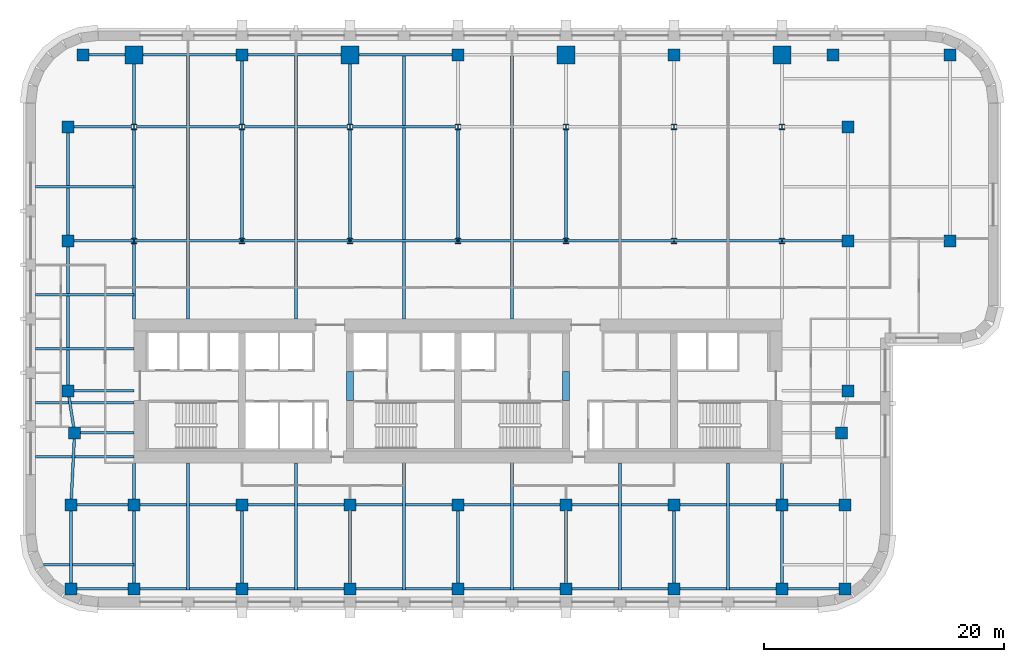
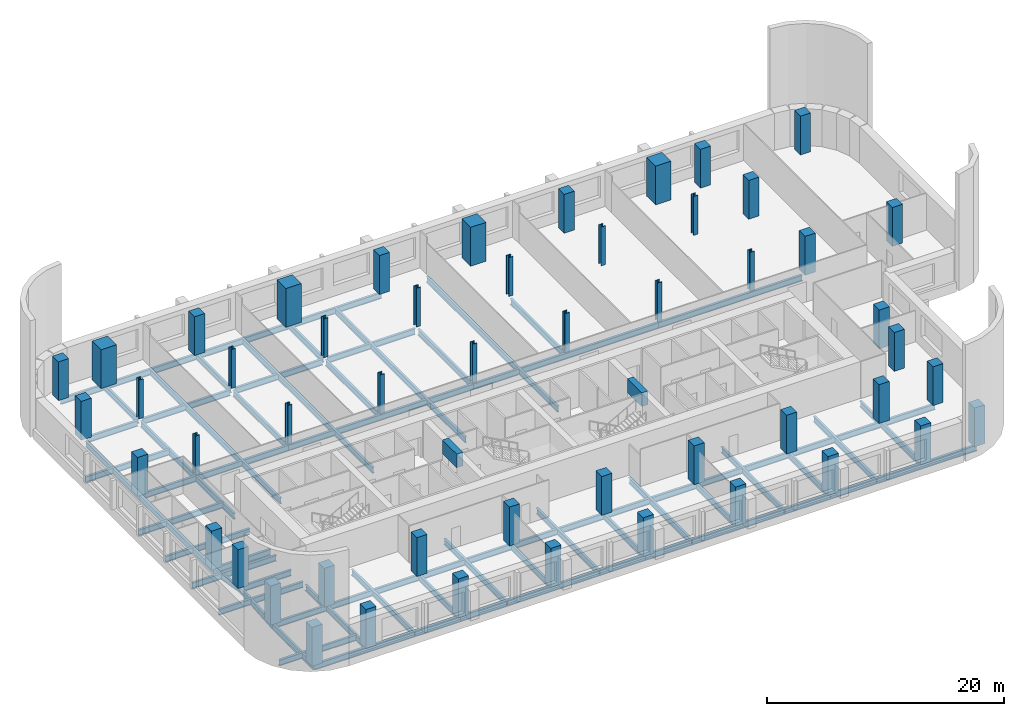
# One storey, part 1 of 9: 58 beams, 51 columns.
"""IFC4 building model written with IfcOpenShell, lengths in metres."""

from ifc_helpers import new_model, si_unit, direction, frame, origin, origin_2d, place, context, subcontext, project, spatial, rectangle, i_section, extrude, material, material_profile, profile_set, type_object, element, save


model = new_model("IFC4")

# Units and contexts
model_context = context("Model", 3, precision=1e-05, world=origin(), true_north=direction((0.0, 1.0)))
body_context = subcontext(model_context, "Body", "Model", "MODEL_VIEW")
ifc_project = project(units=[si_unit("LENGTHUNIT", "METRE"), si_unit("AREAUNIT", "SQUARE_METRE"), si_unit("VOLUMEUNIT", "CUBIC_METRE"), si_unit("PLANEANGLEUNIT", "RADIAN"), si_unit("MASSUNIT", "GRAM", prefix="KILO")], contexts=[model_context])

# Site, building, storey
site_placement = place(None, origin())
site = spatial("IfcSite", under=ifc_project, at=site_placement, CompositionType="ELEMENT")
building_placement = place(site_placement, origin())
building = spatial("IfcBuilding", under=site, at=building_placement, Name="Zellij Exchange Tower", CompositionType="ELEMENT")
storey_placement = place(building_placement, frame((0.0, 0.0, 132.5)))
storey = spatial("IfcBuildingStorey", under=building, at=storey_placement, Name="L29", CompositionType="ELEMENT", Elevation=132.5)

# Columns
ifc_material_1 = material(Name="Concrete C70/85", Category="concrete")
ifc_material_profile_1 = material_profile(ifc_material_1, rectangle(XDim=1.0, YDim=1.0, at=origin_2d()), Name="STR-COLUMN RC1000x1000 C70/85")
ifc_profile_set_1 = profile_set([ifc_material_profile_1], Name="Concrete C70/85")
column_type_1 = type_object("IfcColumnType", Name="STR-COLUMN RC1000x1000 C70/85", PredefinedType="COLUMN", material=ifc_profile_set_1)
for number, where, z_axis, x_axis, name in (
    (1, (-32.25, -24.5, 0.0), (0.0, 0.0, 1.0), (1.0, 0.0, 0.0), "C10"),
    (2, (-27.0, -24.5, 0.0), (0.0, 0.0, 1.0), (1.0, 0.0, 0.0), "C10"),
    (3, (-18.0, -24.5, 0.0), (0.0, 0.0, 1.0), (1.0, 0.0, 0.0), "C10"),
    (4, (-9.0, -24.5, 0.0), (0.0, 0.0, 1.0), (1.0, 0.0, 0.0), "C10"),
    (5, (0.0, -24.5, 0.0), (0.0, 0.0, 1.0), (1.0, 0.0, 0.0), "C10"),
    (6, (9.0, -24.5, 0.0), (0.0, 0.0, 1.0), (1.0, 0.0, 0.0), "C10"),
    (7, (18.0, -24.5, 0.0), (0.0, 0.0, 1.0), (1.0, 0.0, 0.0), "C10"),
    (8, (27.0, -24.5, 0.0), (0.0, 0.0, 1.0), (1.0, 0.0, 0.0), "C10"),
    (9, (32.25, -24.5, 0.0), (0.0, 0.0, 1.0), (1.0, 0.0, 0.0), "C10"),
    (10, (-32.25, -17.5, 0.0), (0.0, 0.0, 1.0), (1.0, 0.0, 0.0), "C10"),
    (11, (-27.0, -17.5, 0.0), (0.0, 0.0, 1.0), (1.0, 0.0, 0.0), "C10"),
    (12, (-18.0, -17.5, 0.0), (0.0, 0.0, 1.0), (1.0, 0.0, 0.0), "C10"),
    (13, (-9.0, -17.5, 0.0), (0.0, 0.0, 1.0), (1.0, 0.0, 0.0), "C10"),
    (14, (0.0, -17.5, 0.0), (0.0, 0.0, 1.0), (1.0, 0.0, 0.0), "C10"),
    (15, (9.0, -17.5, 0.0), (0.0, 0.0, 1.0), (1.0, 0.0, 0.0), "C10"),
    (16, (18.0, -17.5, 0.0), (0.0, 0.0, 1.0), (1.0, 0.0, 0.0), "C10"),
    (17, (27.0, -17.5, 0.0), (0.0, 0.0, 1.0), (1.0, 0.0, 0.0), "C10"),
    (18, (32.25, -17.5, 0.0), (0.0, 0.0, 1.0), (1.0, 0.0, 0.0), "C10"),
    (19, (-31.949951171875, -11.5, 0.0), (0.0, 0.0, 1.0), (1.0, 0.0, 0.0), "C10"),
    (20, (31.949951171875, -11.5, 0.0), (0.0, 0.0, 1.0), (1.0, 0.0, 0.0), "C10"),
    (21, (-32.5, -8.0, 0.0), (0.0, 0.0, 1.0), (1.0, 0.0, 0.0), "C10"),
    (22, (32.5, -8.0, 0.0), (0.0, 0.0, 1.0), (1.0, 0.0, 0.0), "C10"),
    (23, (-32.5, 4.5, 0.0), (0.0, 0.0, 1.0), (1.0, 0.0, 0.0), "C10"),
    (24, (32.5, 4.5, 0.0), (0.0, 0.0, 1.0), (1.0, 0.0, 0.0), "C10"),
    (25, (41.0, 4.5, 0.0), (0.0, 0.0, 1.0), (1.0, 0.0, 0.0), "C10"),
    (26, (-32.5, 14.0, 0.0), (0.0, 0.0, 1.0), (1.0, 0.0, 0.0), "C10"),
    (27, (32.5, 14.0, 0.0), (0.0, 0.0, 1.0), (1.0, 0.0, 0.0), "C10"),
    (28, (-31.25, 20.0, 0.0), (0.0, 0.0, 1.0), (1.0, 0.0, 0.0), "C10"),
    (29, (-18.0, 20.0, 0.0), (0.0, 0.0, 1.0), (1.0, 0.0, 0.0), "C10"),
    (30, (0.0, 20.0, 0.0), (0.0, 0.0, 1.0), (1.0, 0.0, 0.0), "C10"),
    (31, (18.0, 20.0, 0.0), (0.0, 0.0, 1.0), (1.0, 0.0, 0.0), "C10"),
    (32, (31.25, 20.0, 0.0), (0.0, 0.0, 1.0), (1.0, 0.0, 0.0), "C10"),
    (33, (41.0, 20.0, 0.0), (0.0, 0.0, 1.0), (1.0, 0.0, 0.0), "C10"),
):
    element("IfcColumn", number, at=place(storey_placement, frame(where, z_axis=z_axis, x_axis=x_axis)), inside=storey, type_object=column_type_1, Name=name, PredefinedType="COLUMN", context=body_context, shape_type="SweptSolid", body=[
        extrude(rectangle(XDim=1.0, YDim=1.0, at=origin_2d()), origin(), (0.0, 0.0, 1.0), 4.0),
    ])
ifc_material_2 = material(Name="Structural steel ASTM A913 Gr 65", Category="steel")
ifc_material_profile_2 = material_profile(ifc_material_2, i_section(OverallWidth=0.419189453125, OverallDepth=0.45458984375, WebThickness=0.042236328125, FlangeThickness=0.067626953125, at=origin_2d()), Name="W14x370")
ifc_profile_set_2 = profile_set([ifc_material_profile_2], Name="Structural steel ASTM A913 Gr 65")
column_type_2 = type_object("IfcColumnType", Name="STR-COLUMN W14x370", PredefinedType="COLUMN", material=ifc_profile_set_2)
for number, where, z_axis, x_axis, name in (
    (34, (-27.0, 4.5, 0.0), (0.0, 0.0, 1.0), (1.0, 0.0, 0.0), "C4"),
    (35, (-18.0, 4.5, 0.0), (0.0, 0.0, 1.0), (1.0, 0.0, 0.0), "C4"),
    (36, (-9.0, 4.5, 0.0), (0.0, 0.0, 1.0), (1.0, 0.0, 0.0), "C4"),
    (37, (0.0, 4.5, 0.0), (0.0, 0.0, 1.0), (1.0, 0.0, 0.0), "C4"),
    (38, (9.0, 4.5, 0.0), (0.0, 0.0, 1.0), (1.0, 0.0, 0.0), "C4"),
    (39, (18.0, 4.5, 0.0), (0.0, 0.0, 1.0), (1.0, 0.0, 0.0), "C4"),
    (40, (27.0, 4.5, 0.0), (0.0, 0.0, 1.0), (1.0, 0.0, 0.0), "C4"),
    (41, (-27.0, 14.0, 0.0), (0.0, 0.0, 1.0), (1.0, 0.0, 0.0), "C4"),
    (42, (-18.0, 14.0, 0.0), (0.0, 0.0, 1.0), (1.0, 0.0, 0.0), "C4"),
    (43, (-9.0, 14.0, 0.0), (0.0, 0.0, 1.0), (1.0, 0.0, 0.0), "C4"),
    (44, (0.0, 14.0, 0.0), (0.0, 0.0, 1.0), (1.0, 0.0, 0.0), "C4"),
    (45, (9.0, 14.0, 0.0), (0.0, 0.0, 1.0), (1.0, 0.0, 0.0), "C4"),
    (46, (18.0, 14.0, 0.0), (0.0, 0.0, 1.0), (1.0, 0.0, 0.0), "C4"),
    (47, (27.0, 14.0, 0.0), (0.0, 0.0, 1.0), (1.0, 0.0, 0.0), "C4"),
):
    element("IfcColumn", number, at=place(storey_placement, frame(where, z_axis=z_axis, x_axis=x_axis)), inside=storey, type_object=column_type_2, Name=name, PredefinedType="COLUMN", context=body_context, shape_type="SweptSolid", body=[
        extrude(i_section(OverallWidth=0.419189453125, OverallDepth=0.45458984375, WebThickness=0.042236328125, FlangeThickness=0.067626953125, at=origin_2d()), origin(), (0.0, 0.0, 1.0), 4.0),
    ])
ifc_material_profile_3 = material_profile(ifc_material_1, rectangle(XDim=1.5, YDim=1.5, at=origin_2d()), Name="STR-MEGA COLUMN RC1500x1500 C70/85")
ifc_profile_set_3 = profile_set([ifc_material_profile_3], Name="Concrete C70/85")
column_type_3 = type_object("IfcColumnType", Name="STR-MEGA COLUMN RC1500x1500 C70/85", PredefinedType="COLUMN", material=ifc_profile_set_3)
for number, where, z_axis, x_axis, name in (
    (48, (-27.0, 20.0, 0.0), (0.0, 0.0, 1.0), (1.0, 0.0, 0.0), "MC5"),
    (49, (-9.0, 20.0, 0.0), (0.0, 0.0, 1.0), (1.0, 0.0, 0.0), "MC5"),
    (50, (9.0, 20.0, 0.0), (0.0, 0.0, 1.0), (1.0, 0.0, 0.0), "MC5"),
    (51, (27.0, 20.0, 0.0), (0.0, 0.0, 1.0), (1.0, 0.0, 0.0), "MC5"),
):
    element("IfcColumn", number, at=place(storey_placement, frame(where, z_axis=z_axis, x_axis=x_axis)), inside=storey, type_object=column_type_3, Name=name, PredefinedType="COLUMN", context=body_context, shape_type="SweptSolid", body=[
        extrude(rectangle(XDim=1.5, YDim=1.5, at=origin_2d()), origin(), (0.0, 0.0, 1.0), 4.0),
    ])

# Beams
ifc_material_profile_4 = material_profile(ifc_material_1, rectangle(XDim=0.60009765625, YDim=1.39990234375, at=origin_2d()), Name="CORE-CB 600x1400 C70/85")
ifc_profile_set_4 = profile_set([ifc_material_profile_4], Name="Concrete C70/85")
beam_type_1 = type_object("IfcBeamType", Name="CORE-CB 600x1400 C70/85", PredefinedType="BEAM", material=ifc_profile_set_4)
for number, where, z_axis, x_axis, name in (
    (52, (-9.0, -8.800048828125, 3.10009765625), (0.0, 1.0, 0.0), (-1.0, 0.0, 0.0), "Core coupling beam x -9 L29"),
    (53, (9.0, -8.800048828125, 3.10009765625), (0.0, 1.0, 0.0), (-1.0, 0.0, 0.0), "Core coupling beam x 9 L29"),
):
    element("IfcBeam", number, at=place(storey_placement, frame(where, z_axis=z_axis, x_axis=x_axis)), inside=storey, type_object=beam_type_1, Name=name, PredefinedType="BEAM", context=body_context, shape_type="SweptSolid", body=[
        extrude(rectangle(XDim=0.60009765625, YDim=1.39990234375, at=origin_2d()), origin(), (0.0, 0.0, 1.0), 2.425048828125),
    ])
ifc_material_3 = material(Name="Structural steel ASTM A992 Gr 50", Category="steel")
ifc_material_profile_5 = material_profile(ifc_material_3, i_section(OverallWidth=0.227783203125, OverallDepth=0.60205078125, WebThickness=0.010498046875, FlangeThickness=0.014892578125, at=origin_2d()), Name="W24x68")
ifc_profile_set_5 = profile_set([ifc_material_profile_5], Name="Structural steel ASTM A992 Gr 50")
beam_type_2 = type_object("IfcBeamType", Name="STR-BEAM W24x68", PredefinedType="BEAM", material=ifc_profile_set_5)
beam_1_placement = place(storey_placement, frame((-22.5, -24.614501953125, -0.5009765625), z_axis=(0.0, 1.0, 0.0), x_axis=(-1.0, 0.0, 0.0)))
element("IfcBeam", 54, at=beam_1_placement, inside=storey, type_object=beam_type_2, Name="B5", PredefinedType="BEAM", context=body_context, shape_type="SweptSolid", body=[
    extrude(i_section(OverallWidth=0.227783203125, OverallDepth=0.60205078125, WebThickness=0.010498046875, FlangeThickness=0.014892578125, at=origin_2d()), origin(), (0.0, 0.0, 1.0), 10.614501953125),
])
beam_2_placement = place(storey_placement, frame((-22.5, -2.0, -0.5009765625), z_axis=(0.0, 1.0, 0.0), x_axis=(-1.0, 0.0, 0.0)))
element("IfcBeam", 55, at=beam_2_placement, inside=storey, type_object=beam_type_2, Name="B5", PredefinedType="BEAM", context=body_context, shape_type="SweptSolid", body=[
    extrude(i_section(OverallWidth=0.227783203125, OverallDepth=0.60205078125, WebThickness=0.010498046875, FlangeThickness=0.014892578125, at=origin_2d()), origin(), (0.0, 0.0, 1.0), 22.114501953125),
])
beam_3_placement = place(storey_placement, frame((-13.5, -24.614501953125, -0.5009765625), z_axis=(0.0, 1.0, 0.0), x_axis=(-1.0, 0.0, 0.0)))
element("IfcBeam", 56, at=beam_3_placement, inside=storey, type_object=beam_type_2, Name="B5", PredefinedType="BEAM", context=body_context, shape_type="SweptSolid", body=[
    extrude(i_section(OverallWidth=0.227783203125, OverallDepth=0.60205078125, WebThickness=0.010498046875, FlangeThickness=0.014892578125, at=origin_2d()), origin(), (0.0, 0.0, 1.0), 10.614501953125),
])
beam_4_placement = place(storey_placement, frame((-13.5, -2.0, -0.5009765625), z_axis=(0.0, 1.0, 0.0), x_axis=(-1.0, 0.0, 0.0)))
element("IfcBeam", 57, at=beam_4_placement, inside=storey, type_object=beam_type_2, Name="B5", PredefinedType="BEAM", context=body_context, shape_type="SweptSolid", body=[
    extrude(i_section(OverallWidth=0.227783203125, OverallDepth=0.60205078125, WebThickness=0.010498046875, FlangeThickness=0.014892578125, at=origin_2d()), origin(), (0.0, 0.0, 1.0), 22.114501953125),
])
beam_5_placement = place(storey_placement, frame((-4.5, -24.614501953125, -0.5009765625), z_axis=(0.0, 1.0, 0.0), x_axis=(-1.0, 0.0, 0.0)))
element("IfcBeam", 58, at=beam_5_placement, inside=storey, type_object=beam_type_2, Name="B5", PredefinedType="BEAM", context=body_context, shape_type="SweptSolid", body=[
    extrude(i_section(OverallWidth=0.227783203125, OverallDepth=0.60205078125, WebThickness=0.010498046875, FlangeThickness=0.014892578125, at=origin_2d()), origin(), (0.0, 0.0, 1.0), 10.614501953125),
])
beam_6_placement = place(storey_placement, frame((-4.5, -2.0, -0.5009765625), z_axis=(0.0, 1.0, 0.0), x_axis=(-1.0, 0.0, 0.0)))
element("IfcBeam", 59, at=beam_6_placement, inside=storey, type_object=beam_type_2, Name="B5", PredefinedType="BEAM", context=body_context, shape_type="SweptSolid", body=[
    extrude(i_section(OverallWidth=0.227783203125, OverallDepth=0.60205078125, WebThickness=0.010498046875, FlangeThickness=0.014892578125, at=origin_2d()), origin(), (0.0, 0.0, 1.0), 22.114501953125),
])
beam_7_placement = place(storey_placement, frame((4.5, -24.614501953125, -0.5009765625), z_axis=(0.0, 1.0, 0.0), x_axis=(-1.0, 0.0, 0.0)))
element("IfcBeam", 60, at=beam_7_placement, inside=storey, type_object=beam_type_2, Name="B5", PredefinedType="BEAM", context=body_context, shape_type="SweptSolid", body=[
    extrude(i_section(OverallWidth=0.227783203125, OverallDepth=0.60205078125, WebThickness=0.010498046875, FlangeThickness=0.014892578125, at=origin_2d()), origin(), (0.0, 0.0, 1.0), 10.614501953125),
])
beam_8_placement = place(storey_placement, frame((4.5, -2.0, -0.5009765625), z_axis=(0.0, 1.0, 0.0), x_axis=(-1.0, 0.0, 0.0)))
element("IfcBeam", 61, at=beam_8_placement, inside=storey, type_object=beam_type_2, Name="B5", PredefinedType="BEAM", context=body_context, shape_type="SweptSolid", body=[
    extrude(i_section(OverallWidth=0.227783203125, OverallDepth=0.60205078125, WebThickness=0.010498046875, FlangeThickness=0.014892578125, at=origin_2d()), origin(), (0.0, 0.0, 1.0), 22.114501953125),
])
for number, where, z_axis, x_axis, name in (
    (62, (13.5, -24.614501953125, -0.5009765625), (0.0, 1.0, 0.0), (-1.0, 0.0, 0.0), "B5"),
    (63, (22.5, -24.614501953125, -0.5009765625), (0.0, 1.0, 0.0), (-1.0, 0.0, 0.0), "B5"),
):
    element("IfcBeam", number, at=place(storey_placement, frame(where, z_axis=z_axis, x_axis=x_axis)), inside=storey, type_object=beam_type_2, Name=name, PredefinedType="BEAM", context=body_context, shape_type="SweptSolid", body=[
        extrude(i_section(OverallWidth=0.227783203125, OverallDepth=0.60205078125, WebThickness=0.010498046875, FlangeThickness=0.014892578125, at=origin_2d()), origin(), (0.0, 0.0, 1.0), 10.614501953125),
    ])
beam_9_placement = place(storey_placement, frame((-34.537109375, -22.5, -0.5009765625), z_axis=(1.0, 0.0, 0.0), x_axis=(0.0, 1.0, 0.0)))
element("IfcBeam", 64, at=beam_9_placement, inside=storey, type_object=beam_type_2, Name="B5", PredefinedType="BEAM", context=body_context, shape_type="SweptSolid", body=[
    extrude(i_section(OverallWidth=0.227783203125, OverallDepth=0.60205078125, WebThickness=0.010498046875, FlangeThickness=0.014892578125, at=origin_2d()), origin(), (0.0, 0.0, 1.0), 7.537109375),
])
for number, where, z_axis, x_axis, name in (
    (65, (-35.199951171875, -13.5, -0.5009765625), (1.0, 0.0, 0.0), (0.0, 1.0, 0.0), "B5"),
    (66, (-35.199951171875, -9.0, -0.5009765625), (1.0, 0.0, 0.0), (0.0, 1.0, 0.0), "B5"),
    (67, (-35.199951171875, -4.5, -0.5009765625), (1.0, 0.0, 0.0), (0.0, 1.0, 0.0), "B5"),
    (68, (-35.199951171875, 0.0, -0.5009765625), (1.0, 0.0, 0.0), (0.0, 1.0, 0.0), "B5"),
    (69, (-35.199951171875, 9.0, -0.5009765625), (1.0, 0.0, 0.0), (0.0, 1.0, 0.0), "B5"),
):
    element("IfcBeam", number, at=place(storey_placement, frame(where, z_axis=z_axis, x_axis=x_axis)), inside=storey, type_object=beam_type_2, Name=name, PredefinedType="BEAM", context=body_context, shape_type="SweptSolid", body=[
        extrude(i_section(OverallWidth=0.227783203125, OverallDepth=0.60205078125, WebThickness=0.010498046875, FlangeThickness=0.014892578125, at=origin_2d()), origin(), (0.0, 0.0, 1.0), 8.199951171875),
    ])
ifc_material_profile_6 = material_profile(ifc_material_3, i_section(OverallWidth=0.22900390625, OverallDepth=0.612060546875, WebThickness=0.011962890625, FlangeThickness=0.01953125, at=origin_2d()), Name="W24x84")
ifc_profile_set_6 = profile_set([ifc_material_profile_6], Name="Structural steel ASTM A992 Gr 50")
beam_type_3 = type_object("IfcBeamType", Name="STR-EDGE GIRDER W24x84", PredefinedType="BEAM", material=ifc_profile_set_6)
beam_10_placement = place(storey_placement, frame((-32.25, -24.5, -0.506103515625), z_axis=(0.0, 1.0, 0.0), x_axis=(-1.0, 0.0, 0.0)))
element("IfcBeam", 70, at=beam_10_placement, inside=storey, type_object=beam_type_3, Name="EB6", PredefinedType="BEAM", context=body_context, shape_type="SweptSolid", body=[
    extrude(i_section(OverallWidth=0.22900390625, OverallDepth=0.612060546875, WebThickness=0.011962890625, FlangeThickness=0.01953125, at=origin_2d()), origin(), (0.0, 0.0, 1.0), 7.0),
])
beam_11_placement = place(storey_placement, frame((-32.25, -17.5, -0.506103515625), z_axis=(0.049945724537, 0.998751933465, 0.0), x_axis=(-0.998751933465, 0.049945724537, 0.0)))
element("IfcBeam", 71, at=beam_11_placement, inside=storey, type_object=beam_type_3, Name="EB6", PredefinedType="BEAM", context=body_context, shape_type="SweptSolid", body=[
    extrude(i_section(OverallWidth=0.22900390625, OverallDepth=0.612060546875, WebThickness=0.011962890625, FlangeThickness=0.01953125, at=origin_2d()), origin(), (0.0, 0.0, 1.0), 6.007568359375),
])
beam_12_placement = place(storey_placement, frame((-31.949951171875, -11.5, -0.506103515625), z_axis=(-0.155251283593, 0.987875011802, 0.0), x_axis=(-0.987875011802, -0.155251283593, 0.0)))
element("IfcBeam", 72, at=beam_12_placement, inside=storey, type_object=beam_type_3, Name="EB6", PredefinedType="BEAM", context=body_context, shape_type="SweptSolid", body=[
    extrude(i_section(OverallWidth=0.22900390625, OverallDepth=0.612060546875, WebThickness=0.011962890625, FlangeThickness=0.01953125, at=origin_2d()), origin(), (0.0, 0.0, 1.0), 3.54296875),
])
beam_13_placement = place(storey_placement, frame((-32.5, -8.0, -0.506103515625), z_axis=(0.0, 1.0, 0.0), x_axis=(-1.0, 0.0, 0.0)))
element("IfcBeam", 73, at=beam_13_placement, inside=storey, type_object=beam_type_3, Name="EB6", PredefinedType="BEAM", context=body_context, shape_type="SweptSolid", body=[
    extrude(i_section(OverallWidth=0.22900390625, OverallDepth=0.612060546875, WebThickness=0.011962890625, FlangeThickness=0.01953125, at=origin_2d()), origin(), (0.0, 0.0, 1.0), 12.5),
])
beam_14_placement = place(storey_placement, frame((-32.5, 4.5, -0.506103515625), z_axis=(0.0, 1.0, 0.0), x_axis=(-1.0, 0.0, 0.0)))
element("IfcBeam", 74, at=beam_14_placement, inside=storey, type_object=beam_type_3, Name="EB6", PredefinedType="BEAM", context=body_context, shape_type="SweptSolid", body=[
    extrude(i_section(OverallWidth=0.22900390625, OverallDepth=0.612060546875, WebThickness=0.011962890625, FlangeThickness=0.01953125, at=origin_2d()), origin(), (0.0, 0.0, 1.0), 9.0),
])
ifc_material_profile_7 = material_profile(ifc_material_3, i_section(OverallWidth=0.22900390625, OverallDepth=0.612060546875, WebThickness=0.011962890625, FlangeThickness=0.01953125, at=origin_2d()), Name="W24x84")
ifc_profile_set_7 = profile_set([ifc_material_profile_7], Name="Structural steel ASTM A992 Gr 50")
beam_type_4 = type_object("IfcBeamType", Name="STR-GIRDER W24x84", PredefinedType="BEAM", material=ifc_profile_set_7)
beam_15_placement = place(storey_placement, frame((-32.25, -24.5, -0.506103515625), z_axis=(1.0, 0.0, 0.0), x_axis=(0.0, 1.0, 0.0)))
element("IfcBeam", 75, at=beam_15_placement, inside=storey, type_object=beam_type_4, Name="G4", PredefinedType="BEAM", context=body_context, shape_type="SweptSolid", body=[
    extrude(i_section(OverallWidth=0.22900390625, OverallDepth=0.612060546875, WebThickness=0.011962890625, FlangeThickness=0.01953125, at=origin_2d()), origin(), (0.0, 0.0, 1.0), 14.25),
])
for number, where, z_axis, x_axis, name in (
    (76, (-18.0, -24.5, -0.506103515625), (1.0, 0.0, 0.0), (0.0, 1.0, 0.0), "G4"),
    (77, (0.0, -24.5, -0.506103515625), (1.0, 0.0, 0.0), (0.0, 1.0, 0.0), "G4"),
):
    element("IfcBeam", number, at=place(storey_placement, frame(where, z_axis=z_axis, x_axis=x_axis)), inside=storey, type_object=beam_type_4, Name=name, PredefinedType="BEAM", context=body_context, shape_type="SweptSolid", body=[
        extrude(i_section(OverallWidth=0.22900390625, OverallDepth=0.612060546875, WebThickness=0.011962890625, FlangeThickness=0.01953125, at=origin_2d()), origin(), (0.0, 0.0, 1.0), 18.0),
    ])
for number, where, z_axis, x_axis, name in (
    (78, (18.0, -24.5, -0.506103515625), (1.0, 0.0, 0.0), (0.0, 1.0, 0.0), "G4"),
    (79, (-32.25, -17.5, -0.506103515625), (1.0, 0.0, 0.0), (0.0, 1.0, 0.0), "G4"),
):
    element("IfcBeam", number, at=place(storey_placement, frame(where, z_axis=z_axis, x_axis=x_axis)), inside=storey, type_object=beam_type_4, Name=name, PredefinedType="BEAM", context=body_context, shape_type="SweptSolid", body=[
        extrude(i_section(OverallWidth=0.22900390625, OverallDepth=0.612060546875, WebThickness=0.011962890625, FlangeThickness=0.01953125, at=origin_2d()), origin(), (0.0, 0.0, 1.0), 14.25),
    ])
for number, where, z_axis, x_axis, name in (
    (80, (-18.0, -17.5, -0.506103515625), (1.0, 0.0, 0.0), (0.0, 1.0, 0.0), "G4"),
    (81, (0.0, -17.5, -0.506103515625), (1.0, 0.0, 0.0), (0.0, 1.0, 0.0), "G4"),
):
    element("IfcBeam", number, at=place(storey_placement, frame(where, z_axis=z_axis, x_axis=x_axis)), inside=storey, type_object=beam_type_4, Name=name, PredefinedType="BEAM", context=body_context, shape_type="SweptSolid", body=[
        extrude(i_section(OverallWidth=0.22900390625, OverallDepth=0.612060546875, WebThickness=0.011962890625, FlangeThickness=0.01953125, at=origin_2d()), origin(), (0.0, 0.0, 1.0), 18.0),
    ])
beam_16_placement = place(storey_placement, frame((18.0, -17.5, -0.506103515625), z_axis=(1.0, 0.0, 0.0), x_axis=(0.0, 1.0, 0.0)))
element("IfcBeam", 82, at=beam_16_placement, inside=storey, type_object=beam_type_4, Name="G4", PredefinedType="BEAM", context=body_context, shape_type="SweptSolid", body=[
    extrude(i_section(OverallWidth=0.22900390625, OverallDepth=0.612060546875, WebThickness=0.011962890625, FlangeThickness=0.01953125, at=origin_2d()), origin(), (0.0, 0.0, 1.0), 14.25),
])
beam_17_placement = place(storey_placement, frame((-31.949951171875, -11.5, -0.506103515625), z_axis=(1.0, 0.0, 0.0), x_axis=(0.0, 1.0, 0.0)))
element("IfcBeam", 83, at=beam_17_placement, inside=storey, type_object=beam_type_4, Name="G4", PredefinedType="BEAM", context=body_context, shape_type="SweptSolid", body=[
    extrude(i_section(OverallWidth=0.22900390625, OverallDepth=0.612060546875, WebThickness=0.011962890625, FlangeThickness=0.01953125, at=origin_2d()), origin(), (0.0, 0.0, 1.0), 4.949951171875),
])
beam_18_placement = place(storey_placement, frame((-32.5, -8.0, -0.506103515625), z_axis=(1.0, 0.0, 0.0), x_axis=(0.0, 1.0, 0.0)))
element("IfcBeam", 84, at=beam_18_placement, inside=storey, type_object=beam_type_4, Name="G4", PredefinedType="BEAM", context=body_context, shape_type="SweptSolid", body=[
    extrude(i_section(OverallWidth=0.22900390625, OverallDepth=0.612060546875, WebThickness=0.011962890625, FlangeThickness=0.01953125, at=origin_2d()), origin(), (0.0, 0.0, 1.0), 5.5),
])
beam_19_placement = place(storey_placement, frame((-32.5, 4.5, -0.506103515625), z_axis=(1.0, 0.0, 0.0), x_axis=(0.0, 1.0, 0.0)))
element("IfcBeam", 85, at=beam_19_placement, inside=storey, type_object=beam_type_4, Name="G4", PredefinedType="BEAM", context=body_context, shape_type="SweptSolid", body=[
    extrude(i_section(OverallWidth=0.22900390625, OverallDepth=0.612060546875, WebThickness=0.011962890625, FlangeThickness=0.01953125, at=origin_2d()), origin(), (0.0, 0.0, 1.0), 14.5),
])
for number, where, z_axis, x_axis, name in (
    (86, (-18.0, 4.5, -0.506103515625), (1.0, 0.0, 0.0), (0.0, 1.0, 0.0), "G4"),
    (87, (0.0, 4.5, -0.506103515625), (1.0, 0.0, 0.0), (0.0, 1.0, 0.0), "G4"),
):
    element("IfcBeam", number, at=place(storey_placement, frame(where, z_axis=z_axis, x_axis=x_axis)), inside=storey, type_object=beam_type_4, Name=name, PredefinedType="BEAM", context=body_context, shape_type="SweptSolid", body=[
        extrude(i_section(OverallWidth=0.22900390625, OverallDepth=0.612060546875, WebThickness=0.011962890625, FlangeThickness=0.01953125, at=origin_2d()), origin(), (0.0, 0.0, 1.0), 18.0),
    ])
beam_20_placement = place(storey_placement, frame((18.0, 4.5, -0.506103515625), z_axis=(1.0, 0.0, 0.0), x_axis=(0.0, 1.0, 0.0)))
element("IfcBeam", 88, at=beam_20_placement, inside=storey, type_object=beam_type_4, Name="G4", PredefinedType="BEAM", context=body_context, shape_type="SweptSolid", body=[
    extrude(i_section(OverallWidth=0.22900390625, OverallDepth=0.612060546875, WebThickness=0.011962890625, FlangeThickness=0.01953125, at=origin_2d()), origin(), (0.0, 0.0, 1.0), 14.0),
])
beam_21_placement = place(storey_placement, frame((-32.0, 14.0, -0.506103515625), z_axis=(1.0, 0.0, 0.0), x_axis=(0.0, 1.0, 0.0)))
element("IfcBeam", 89, at=beam_21_placement, inside=storey, type_object=beam_type_4, Name="G4", PredefinedType="BEAM", context=body_context, shape_type="SweptSolid", body=[
    extrude(i_section(OverallWidth=0.22900390625, OverallDepth=0.612060546875, WebThickness=0.011962890625, FlangeThickness=0.01953125, at=origin_2d()), origin(), (0.0, 0.0, 1.0), 4.790283203125),
])
for number, where, z_axis, x_axis, name in (
    (90, (-26.790283203125, 14.0, -0.506103515625), (1.0, 0.0, 0.0), (0.0, 1.0, 0.0), "G4"),
    (91, (-17.790283203125, 14.0, -0.506103515625), (1.0, 0.0, 0.0), (0.0, 1.0, 0.0), "G4"),
):
    element("IfcBeam", number, at=place(storey_placement, frame(where, z_axis=z_axis, x_axis=x_axis)), inside=storey, type_object=beam_type_4, Name=name, PredefinedType="BEAM", context=body_context, shape_type="SweptSolid", body=[
        extrude(i_section(OverallWidth=0.22900390625, OverallDepth=0.612060546875, WebThickness=0.011962890625, FlangeThickness=0.01953125, at=origin_2d()), origin(), (0.0, 0.0, 1.0), 8.58056640625),
    ])
beam_22_placement = place(storey_placement, frame((-8.790283203125, 14.0, -0.506103515625), z_axis=(1.0, 0.0, 0.0), x_axis=(0.0, 1.0, 0.0)))
element("IfcBeam", 92, at=beam_22_placement, inside=storey, type_object=beam_type_4, Name="G4", PredefinedType="BEAM", context=body_context, shape_type="SweptSolid", body=[
    extrude(i_section(OverallWidth=0.22900390625, OverallDepth=0.612060546875, WebThickness=0.011962890625, FlangeThickness=0.01953125, at=origin_2d()), origin(), (0.0, 0.0, 1.0), 8.580810546875),
])
beam_23_placement = place(storey_placement, frame((-31.25, 20.0, -0.506103515625), z_axis=(1.0, 0.0, 0.0), x_axis=(0.0, 1.0, 0.0)))
element("IfcBeam", 93, at=beam_23_placement, inside=storey, type_object=beam_type_4, Name="G4", PredefinedType="BEAM", context=body_context, shape_type="SweptSolid", body=[
    extrude(i_section(OverallWidth=0.22900390625, OverallDepth=0.612060546875, WebThickness=0.011962890625, FlangeThickness=0.01953125, at=origin_2d()), origin(), (0.0, 0.0, 1.0), 13.25),
])
beam_24_placement = place(storey_placement, frame((-18.0, 20.0, -0.506103515625), z_axis=(1.0, 0.0, 0.0), x_axis=(0.0, 1.0, 0.0)))
element("IfcBeam", 94, at=beam_24_placement, inside=storey, type_object=beam_type_4, Name="G4", PredefinedType="BEAM", context=body_context, shape_type="SweptSolid", body=[
    extrude(i_section(OverallWidth=0.22900390625, OverallDepth=0.612060546875, WebThickness=0.011962890625, FlangeThickness=0.01953125, at=origin_2d()), origin(), (0.0, 0.0, 1.0), 18.0),
])
beam_25_placement = place(storey_placement, frame((-27.0, -24.5, -0.506103515625), z_axis=(0.0, 1.0, 0.0), x_axis=(-1.0, 0.0, 0.0)))
element("IfcBeam", 95, at=beam_25_placement, inside=storey, type_object=beam_type_4, Name="G4", PredefinedType="BEAM", context=body_context, shape_type="SweptSolid", body=[
    extrude(i_section(OverallWidth=0.22900390625, OverallDepth=0.612060546875, WebThickness=0.011962890625, FlangeThickness=0.01953125, at=origin_2d()), origin(), (0.0, 0.0, 1.0), 10.5),
])
beam_26_placement = place(storey_placement, frame((-27.0, -2.0, -0.506103515625), z_axis=(0.0, 1.0, 0.0), x_axis=(-1.0, 0.0, 0.0)))
element("IfcBeam", 96, at=beam_26_placement, inside=storey, type_object=beam_type_4, Name="G4", PredefinedType="BEAM", context=body_context, shape_type="SweptSolid", body=[
    extrude(i_section(OverallWidth=0.22900390625, OverallDepth=0.612060546875, WebThickness=0.011962890625, FlangeThickness=0.01953125, at=origin_2d()), origin(), (0.0, 0.0, 1.0), 15.772705078125),
])
beam_27_placement = place(storey_placement, frame((-27.0, 14.227294921875, -0.506103515625), z_axis=(0.0, 1.0, 0.0), x_axis=(-1.0, 0.0, 0.0)))
element("IfcBeam", 97, at=beam_27_placement, inside=storey, type_object=beam_type_4, Name="G4", PredefinedType="BEAM", context=body_context, shape_type="SweptSolid", body=[
    extrude(i_section(OverallWidth=0.22900390625, OverallDepth=0.612060546875, WebThickness=0.011962890625, FlangeThickness=0.01953125, at=origin_2d()), origin(), (0.0, 0.0, 1.0), 5.772705078125),
])
beam_28_placement = place(storey_placement, frame((-18.0, -24.5, -0.506103515625), z_axis=(0.0, 1.0, 0.0), x_axis=(-1.0, 0.0, 0.0)))
element("IfcBeam", 98, at=beam_28_placement, inside=storey, type_object=beam_type_4, Name="G4", PredefinedType="BEAM", context=body_context, shape_type="SweptSolid", body=[
    extrude(i_section(OverallWidth=0.22900390625, OverallDepth=0.612060546875, WebThickness=0.011962890625, FlangeThickness=0.01953125, at=origin_2d()), origin(), (0.0, 0.0, 1.0), 7.0),
])
beam_29_placement = place(storey_placement, frame((-18.0, 4.5, -0.506103515625), z_axis=(0.0, 1.0, 0.0), x_axis=(-1.0, 0.0, 0.0)))
element("IfcBeam", 99, at=beam_29_placement, inside=storey, type_object=beam_type_4, Name="G4", PredefinedType="BEAM", context=body_context, shape_type="SweptSolid", body=[
    extrude(i_section(OverallWidth=0.22900390625, OverallDepth=0.612060546875, WebThickness=0.011962890625, FlangeThickness=0.01953125, at=origin_2d()), origin(), (0.0, 0.0, 1.0), 9.272705078125),
])
beam_30_placement = place(storey_placement, frame((-18.0, 14.227294921875, -0.506103515625), z_axis=(0.0, 1.0, 0.0), x_axis=(-1.0, 0.0, 0.0)))
element("IfcBeam", 100, at=beam_30_placement, inside=storey, type_object=beam_type_4, Name="G4", PredefinedType="BEAM", context=body_context, shape_type="SweptSolid", body=[
    extrude(i_section(OverallWidth=0.22900390625, OverallDepth=0.612060546875, WebThickness=0.011962890625, FlangeThickness=0.01953125, at=origin_2d()), origin(), (0.0, 0.0, 1.0), 5.772705078125),
])
beam_31_placement = place(storey_placement, frame((-9.0, -24.5, -0.506103515625), z_axis=(0.0, 1.0, 0.0), x_axis=(-1.0, 0.0, 0.0)))
element("IfcBeam", 101, at=beam_31_placement, inside=storey, type_object=beam_type_4, Name="G4", PredefinedType="BEAM", context=body_context, shape_type="SweptSolid", body=[
    extrude(i_section(OverallWidth=0.22900390625, OverallDepth=0.612060546875, WebThickness=0.011962890625, FlangeThickness=0.01953125, at=origin_2d()), origin(), (0.0, 0.0, 1.0), 7.0),
])
beam_32_placement = place(storey_placement, frame((-9.0, 4.5, -0.506103515625), z_axis=(0.0, 1.0, 0.0), x_axis=(-1.0, 0.0, 0.0)))
element("IfcBeam", 102, at=beam_32_placement, inside=storey, type_object=beam_type_4, Name="G4", PredefinedType="BEAM", context=body_context, shape_type="SweptSolid", body=[
    extrude(i_section(OverallWidth=0.22900390625, OverallDepth=0.612060546875, WebThickness=0.011962890625, FlangeThickness=0.01953125, at=origin_2d()), origin(), (0.0, 0.0, 1.0), 9.272705078125),
])
beam_33_placement = place(storey_placement, frame((-9.0, 14.227294921875, -0.506103515625), z_axis=(0.0, 1.0, 0.0), x_axis=(-1.0, 0.0, 0.0)))
element("IfcBeam", 103, at=beam_33_placement, inside=storey, type_object=beam_type_4, Name="G4", PredefinedType="BEAM", context=body_context, shape_type="SweptSolid", body=[
    extrude(i_section(OverallWidth=0.22900390625, OverallDepth=0.612060546875, WebThickness=0.011962890625, FlangeThickness=0.01953125, at=origin_2d()), origin(), (0.0, 0.0, 1.0), 5.772705078125),
])
beam_34_placement = place(storey_placement, frame((0.0, -24.5, -0.506103515625), z_axis=(0.0, 1.0, 0.0), x_axis=(-1.0, 0.0, 0.0)))
element("IfcBeam", 104, at=beam_34_placement, inside=storey, type_object=beam_type_4, Name="G4", PredefinedType="BEAM", context=body_context, shape_type="SweptSolid", body=[
    extrude(i_section(OverallWidth=0.22900390625, OverallDepth=0.612060546875, WebThickness=0.011962890625, FlangeThickness=0.01953125, at=origin_2d()), origin(), (0.0, 0.0, 1.0), 7.0),
])
beam_35_placement = place(storey_placement, frame((0.0, 4.5, -0.506103515625), z_axis=(0.0, 1.0, 0.0), x_axis=(-1.0, 0.0, 0.0)))
element("IfcBeam", 105, at=beam_35_placement, inside=storey, type_object=beam_type_4, Name="G4", PredefinedType="BEAM", context=body_context, shape_type="SweptSolid", body=[
    extrude(i_section(OverallWidth=0.22900390625, OverallDepth=0.612060546875, WebThickness=0.011962890625, FlangeThickness=0.01953125, at=origin_2d()), origin(), (0.0, 0.0, 1.0), 9.272705078125),
])
beam_36_placement = place(storey_placement, frame((9.0, -24.5, -0.506103515625), z_axis=(0.0, 1.0, 0.0), x_axis=(-1.0, 0.0, 0.0)))
element("IfcBeam", 106, at=beam_36_placement, inside=storey, type_object=beam_type_4, Name="G4", PredefinedType="BEAM", context=body_context, shape_type="SweptSolid", body=[
    extrude(i_section(OverallWidth=0.22900390625, OverallDepth=0.612060546875, WebThickness=0.011962890625, FlangeThickness=0.01953125, at=origin_2d()), origin(), (0.0, 0.0, 1.0), 7.0),
])
beam_37_placement = place(storey_placement, frame((9.0, 4.5, -0.506103515625), z_axis=(0.0, 1.0, 0.0), x_axis=(-1.0, 0.0, 0.0)))
element("IfcBeam", 107, at=beam_37_placement, inside=storey, type_object=beam_type_4, Name="G4", PredefinedType="BEAM", context=body_context, shape_type="SweptSolid", body=[
    extrude(i_section(OverallWidth=0.22900390625, OverallDepth=0.612060546875, WebThickness=0.011962890625, FlangeThickness=0.01953125, at=origin_2d()), origin(), (0.0, 0.0, 1.0), 9.272705078125),
])
beam_38_placement = place(storey_placement, frame((18.0, -24.5, -0.506103515625), z_axis=(0.0, 1.0, 0.0), x_axis=(-1.0, 0.0, 0.0)))
element("IfcBeam", 108, at=beam_38_placement, inside=storey, type_object=beam_type_4, Name="G4", PredefinedType="BEAM", context=body_context, shape_type="SweptSolid", body=[
    extrude(i_section(OverallWidth=0.22900390625, OverallDepth=0.612060546875, WebThickness=0.011962890625, FlangeThickness=0.01953125, at=origin_2d()), origin(), (0.0, 0.0, 1.0), 7.0),
])
beam_39_placement = place(storey_placement, frame((27.0, -24.5, -0.506103515625), z_axis=(0.0, 1.0, 0.0), x_axis=(-1.0, 0.0, 0.0)))
element("IfcBeam", 109, at=beam_39_placement, inside=storey, type_object=beam_type_4, Name="G4", PredefinedType="BEAM", context=body_context, shape_type="SweptSolid", body=[
    extrude(i_section(OverallWidth=0.22900390625, OverallDepth=0.612060546875, WebThickness=0.011962890625, FlangeThickness=0.01953125, at=origin_2d()), origin(), (0.0, 0.0, 1.0), 10.5),
])

save(model, "model.ifc")
